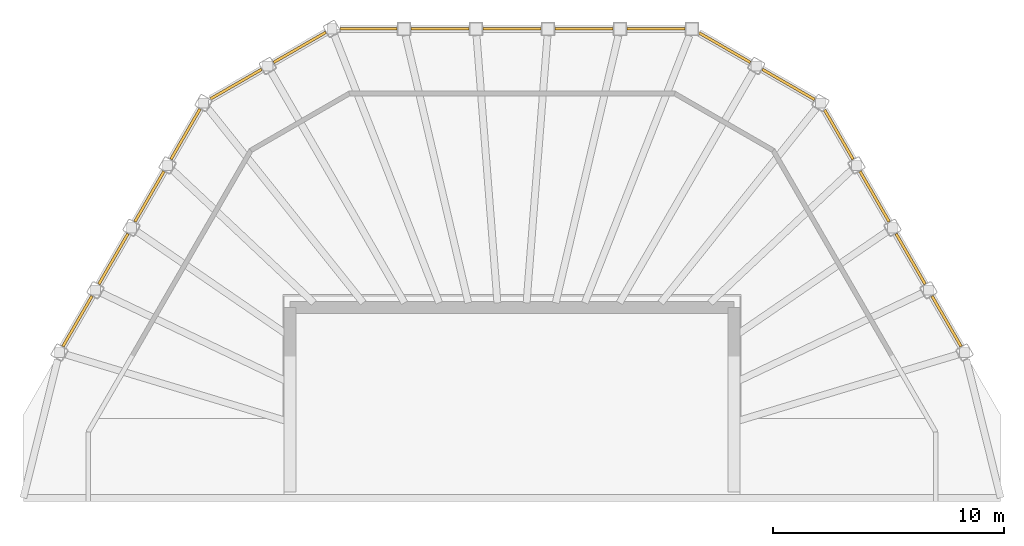
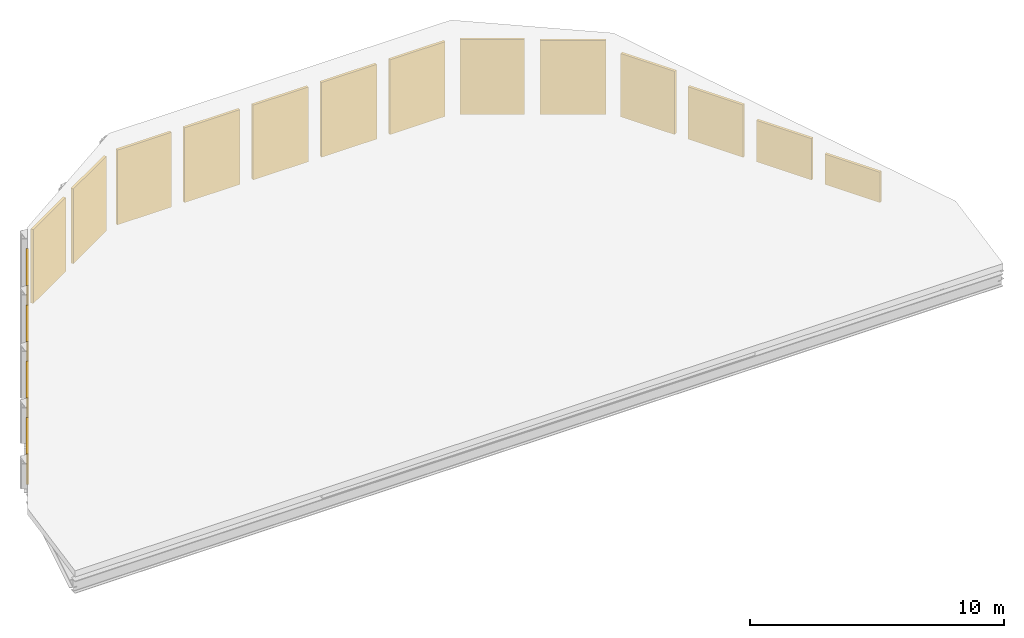
# One storey, part 3 of 3: 17 coverings.
"""IFC4 building model written with IfcOpenShell, lengths in metres."""

from ifc_helpers import new_model, si_unit, direction, frame, origin, place, context, subcontext, project, spatial, polyline, outline, extrude, material, layer, layer_set, type_object, element, save


model = new_model("IFC4")

# Units and contexts
model_context = context("Model", 3, precision=1e-05, world=origin(), true_north=direction((0.0, 1.0)))
body_context = subcontext(model_context, "Body", "Model", "MODEL_VIEW")
ifc_project = project(units=[si_unit("LENGTHUNIT", "METRE"), si_unit("AREAUNIT", "SQUARE_METRE"), si_unit("VOLUMEUNIT", "CUBIC_METRE"), si_unit("PLANEANGLEUNIT", "RADIAN"), si_unit("MASSUNIT", "GRAM", prefix="KILO")], contexts=[model_context])

# Site, building, storey
site_placement = place(None, origin())
site = spatial("IfcSite", under=ifc_project, at=site_placement, CompositionType="ELEMENT")
building_placement = place(site_placement, origin())
building = spatial("IfcBuilding", under=site, at=building_placement, Name="Frailejon Research Tower", CompositionType="ELEMENT")
storey_placement = place(building_placement, frame((0.0, 0.0, 368.60009765625)))
storey = spatial("IfcBuildingStorey", under=building, at=storey_placement, Name="L83", CompositionType="ELEMENT", Elevation=368.60009765625)

# Coverings
ifc_material = material(Name="Anodised aluminium louvres", Category="aluminium")
ifc_layer = layer(ifc_material, 0.1201171875)
ifc_layer_set = layer_set([ifc_layer], Name="Crown louvre screen 120")
covering_type = type_object("IfcCoveringType", Name="Crown louvre screen 120", PredefinedType="CLADDING", material=ifc_layer_set)
covering_1_placement = place(storey_placement, frame((18.16259765625, 8.34130859375, -0.2001953125), z_axis=(0.500009278777, -0.866020046614, 0.0), x_axis=(0.866020046614, 0.500009278777, 0.0)))
element("IfcCovering", 1, at=covering_1_placement, inside=storey, type_object=covering_type, Name="Crown louvre screen L83", PredefinedType="CLADDING", context=body_context, shape_type="SweptSolid", body=[
    extrude(outline(polyline([(-0.06005859375, 0.0), (0.06005859375, 0.0), (0.06005859375, 1.46044921875), (-0.06005859375, 1.46044921875), (-0.06005859375, 0.0)])), origin(), (0.0, 0.0, 1.0), 2.514892578125),
])
covering_2_placement = place(storey_placement, frame((16.605224609375, 11.0390625, -0.2001953125), z_axis=(0.499979456235, -0.866037264408, 0.0), x_axis=(0.866037264408, 0.499979456235, 0.0)))
element("IfcCovering", 2, at=covering_2_placement, inside=storey, type_object=covering_type, Name="Crown louvre screen L83", PredefinedType="CLADDING", context=body_context, shape_type="SweptSolid", body=[
    extrude(outline(polyline([(-0.06005859375, 0.0), (0.06005859375, 0.0), (0.06005859375, 1.98876953125), (-0.06005859375, 1.98876953125), (-0.06005859375, 0.0)])), origin(), (0.0, 0.0, 1.0), 2.514892578125),
])
covering_3_placement = place(storey_placement, frame((15.047607421875, 13.736572265625, -0.2001953125), z_axis=(0.500009278777, -0.866020046614, 0.0), x_axis=(0.866020046614, 0.500009278777, 0.0)))
element("IfcCovering", 3, at=covering_3_placement, inside=storey, type_object=covering_type, Name="Crown louvre screen L83", PredefinedType="CLADDING", context=body_context, shape_type="SweptSolid", body=[
    extrude(outline(polyline([(-0.06005859375, 0.0), (0.06005859375, 0.0), (0.06005859375, 2.516845703125), (-0.06005859375, 2.516845703125), (-0.06005859375, 0.0)])), origin(), (0.0, 0.0, 1.0), 2.514892578125),
])
covering_4_placement = place(storey_placement, frame((13.513427734375, 16.393798828125, -0.2001953125), z_axis=(0.499999492034, -0.866025697059, 0.0), x_axis=(0.866025697059, 0.499999492034, 0.0)))
element("IfcCovering", 4, at=covering_4_placement, inside=storey, type_object=covering_type, Name="Crown louvre screen L83", PredefinedType="CLADDING", context=body_context, shape_type="SweptSolid", body=[
    extrude(outline(polyline([(-0.06005859375, 0.0), (0.06005859375, 0.0), (0.06005859375, 3.044921875), (-0.06005859375, 3.044921875), (-0.06005859375, 0.0)])), origin(), (0.0, 0.0, 1.0), 2.468505859375),
])
covering_5_placement = place(storey_placement, frame((10.823486328125, 18.14697265625, -0.2001953125), z_axis=(0.866012414126, -0.500022498073, 0.0), x_axis=(0.500022498073, 0.866012414126, 0.0)))
element("IfcCovering", 5, at=covering_5_placement, inside=storey, type_object=covering_type, Name="Crown louvre screen L83", PredefinedType="CLADDING", context=body_context, shape_type="SweptSolid", body=[
    extrude(outline(polyline([(-0.06005859375, 0.0), (0.06005859375, 0.0), (0.06005859375, 3.5517578125), (-0.06005859375, 3.5517578125), (-0.06005859375, 0.0)])), origin(), (0.0, 0.0, 1.0), 2.606201171875),
])
covering_6_placement = place(storey_placement, frame((8.087158203125, 19.726806640625, -0.2001953125), z_axis=(0.866037258145, -0.499979467084, 0.0), x_axis=(0.499979467084, 0.866037258145, 0.0)))
element("IfcCovering", 6, at=covering_6_placement, inside=storey, type_object=covering_type, Name="Crown louvre screen L83", PredefinedType="CLADDING", context=body_context, shape_type="SweptSolid", body=[
    extrude(outline(polyline([(-0.06005859375, 0.0), (0.06005859375, 0.0), (0.06005859375, 3.60009765625), (-0.06005859375, 3.60009765625), (-0.06005859375, 0.0)])), origin(), (0.0, 0.0, 1.0), 2.559814453125),
])
for number, where, z_axis, x_axis, name in (
    (7, (4.972412109375, 19.89990234375, -0.2001953125), (1.0, 0.0, 0.0), (0.0, 1.0, 0.0), "Crown louvre screen L83"),
    (8, (1.857421875, 19.89990234375, -0.2001953125), (1.0, 0.0, 0.0), (0.0, 1.0, 0.0), "Crown louvre screen L83"),
    (9, (-1.25732421875, 19.89990234375, -0.2001953125), (1.0, 0.0, 0.0), (0.0, 1.0, 0.0), "Crown louvre screen L83"),
    (10, (-4.372314453125, 19.89990234375, -0.2001953125), (1.0, 0.0, 0.0), (0.0, 1.0, 0.0), "Crown louvre screen L83"),
):
    element("IfcCovering", number, at=place(storey_placement, frame(where, z_axis=z_axis, x_axis=x_axis)), inside=storey, type_object=covering_type, Name=name, PredefinedType="CLADDING", context=body_context, shape_type="SweptSolid", body=[
        extrude(outline(polyline([(-0.06005859375, 0.0), (0.06005859375, 0.0), (0.06005859375, 3.60009765625), (-0.06005859375, 3.60009765625), (-0.06005859375, 0.0)])), origin(), (0.0, 0.0, 1.0), 2.514892578125),
    ])
covering_7_placement = place(storey_placement, frame((-7.44091796875, 19.89990234375, -0.2001953125), z_axis=(1.0, 0.0, 0.0), x_axis=(0.0, 1.0, 0.0)))
element("IfcCovering", 11, at=covering_7_placement, inside=storey, type_object=covering_type, Name="Crown louvre screen L83", PredefinedType="CLADDING", context=body_context, shape_type="SweptSolid", body=[
    extrude(outline(polyline([(-0.06005859375, 0.0), (0.06005859375, 0.0), (0.06005859375, 3.60009765625), (-0.06005859375, 3.60009765625), (-0.06005859375, 0.0)])), origin(), (0.0, 0.0, 1.0), 2.468505859375),
])
covering_8_placement = place(storey_placement, frame((-10.303955078125, 18.447021484375, -0.2001953125), z_axis=(0.866038622295, 0.49997710417, 0.0), x_axis=(-0.49997710417, 0.866038622295, 0.0)))
element("IfcCovering", 12, at=covering_8_placement, inside=storey, type_object=covering_type, Name="Crown louvre screen L83", PredefinedType="CLADDING", context=body_context, shape_type="SweptSolid", body=[
    extrude(outline(polyline([(-0.06005859375, 0.0), (0.06005859375, 0.0), (0.06005859375, 3.60009765625), (-0.06005859375, 3.60009765625), (-0.06005859375, 0.0)])), origin(), (0.0, 0.0, 1.0), 2.606201171875),
])
covering_9_placement = place(storey_placement, frame((-13.040283203125, 16.8671875, -0.2001953125), z_axis=(0.866010574459, 0.500025684265, 0.0), x_axis=(-0.500025684265, 0.866010574459, 0.0)))
element("IfcCovering", 13, at=covering_9_placement, inside=storey, type_object=covering_type, Name="Crown louvre screen L83", PredefinedType="CLADDING", context=body_context, shape_type="SweptSolid", body=[
    extrude(outline(polyline([(-0.06005859375, 0.0), (0.06005859375, 0.0), (0.06005859375, 3.55615234375), (-0.06005859375, 3.55615234375), (-0.06005859375, 0.0)])), origin(), (0.0, 0.0, 1.0), 2.559814453125),
])
covering_10_placement = place(storey_placement, frame((-14.747802734375, 14.256103515625, -0.2001953125), z_axis=(0.499996674019, 0.866027324032, 0.0), x_axis=(-0.866027324032, 0.499996674019, 0.0)))
element("IfcCovering", 14, at=covering_10_placement, inside=storey, type_object=covering_type, Name="Crown louvre screen L83", PredefinedType="CLADDING", context=body_context, shape_type="SweptSolid", body=[
    extrude(outline(polyline([(-0.06005859375, 0.0), (0.06005859375, 0.0), (0.06005859375, 3.044921875), (-0.06005859375, 3.044921875), (-0.06005859375, 0.0)])), origin(), (0.0, 0.0, 1.0), 2.514892578125),
])
covering_11_placement = place(storey_placement, frame((-16.30517578125, 11.55859375, -0.2001953125), z_axis=(0.500009278777, 0.866020046614, 0.0), x_axis=(-0.866020046614, 0.500009278777, 0.0)))
element("IfcCovering", 15, at=covering_11_placement, inside=storey, type_object=covering_type, Name="Crown louvre screen L83", PredefinedType="CLADDING", context=body_context, shape_type="SweptSolid", body=[
    extrude(outline(polyline([(-0.06005859375, 0.0), (0.06005859375, 0.0), (0.06005859375, 2.516845703125), (-0.06005859375, 2.516845703125), (-0.06005859375, 0.0)])), origin(), (0.0, 0.0, 1.0), 2.514892578125),
])
covering_12_placement = place(storey_placement, frame((-17.862548828125, 8.861083984375, -0.2001953125), z_axis=(0.499979456235, 0.866037264408, 0.0), x_axis=(-0.866037264408, 0.499979456235, 0.0)))
element("IfcCovering", 16, at=covering_12_placement, inside=storey, type_object=covering_type, Name="Crown louvre screen L83", PredefinedType="CLADDING", context=body_context, shape_type="SweptSolid", body=[
    extrude(outline(polyline([(-0.06005859375, 0.0), (0.06005859375, 0.0), (0.06005859375, 1.98876953125), (-0.06005859375, 1.98876953125), (-0.06005859375, 0.0)])), origin(), (0.0, 0.0, 1.0), 2.514892578125),
])
covering_13_placement = place(storey_placement, frame((-19.420166015625, 6.163330078125, -0.2001953125), z_axis=(0.500009278777, 0.866020046614, 0.0), x_axis=(-0.866020046614, 0.500009278777, 0.0)))
element("IfcCovering", 17, at=covering_13_placement, inside=storey, type_object=covering_type, Name="Crown louvre screen L83", PredefinedType="CLADDING", context=body_context, shape_type="SweptSolid", body=[
    extrude(outline(polyline([(-0.06005859375, 0.0), (0.06005859375, 0.0), (0.06005859375, 1.46044921875), (-0.06005859375, 1.46044921875), (-0.06005859375, 0.0)])), origin(), (0.0, 0.0, 1.0), 2.514892578125),
])

save(model, "model.ifc")
